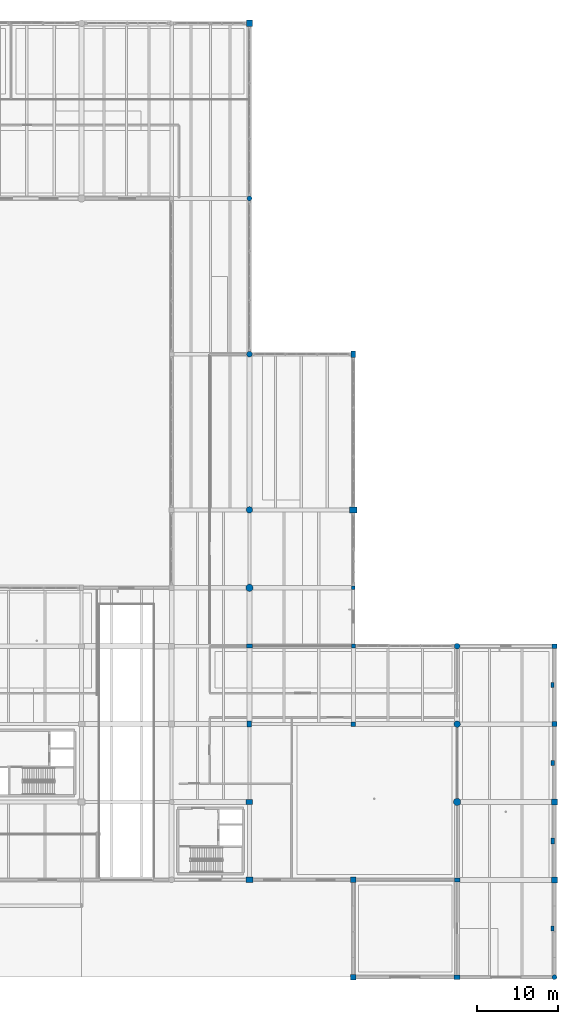
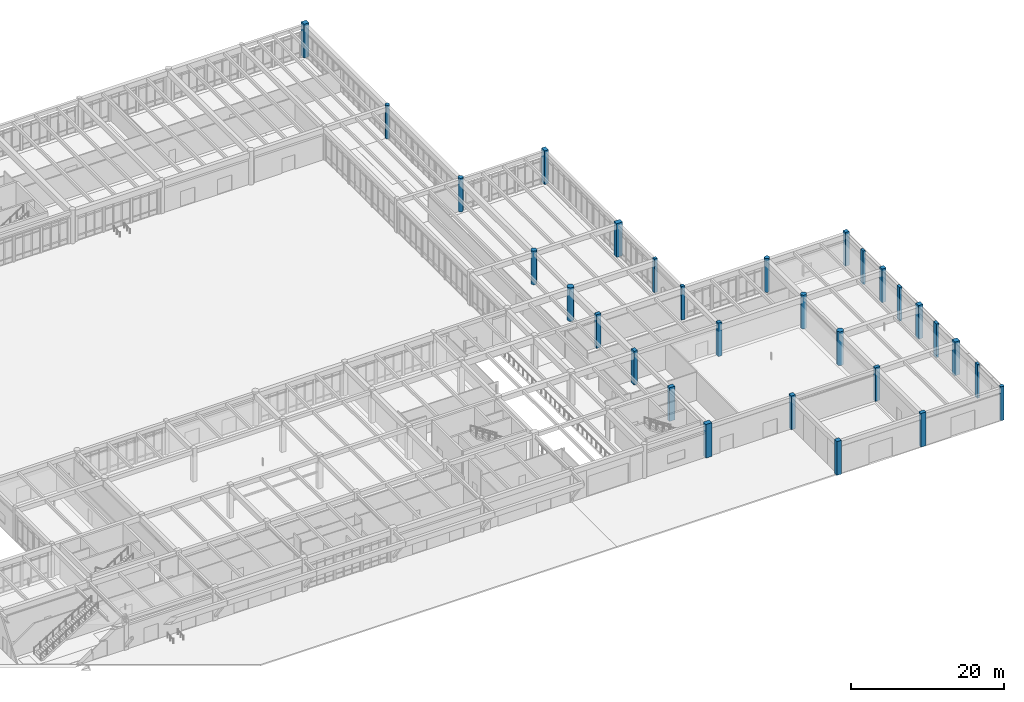
# One storey, part 3 of 138: 30 columns.
"""IFC4 building model written with IfcOpenShell, lengths in metres."""

from ifc_helpers import new_model, si_unit, direction, frame, origin, origin_2d, place, context, subcontext, project, spatial, rectangle, circle, extrude, material, material_profile, profile_set, type_object, element, save


model = new_model("IFC4")

# Units and contexts
model_context = context("Model", 3, precision=1e-05, world=origin(), true_north=direction((0.0, 1.0)))
body_context = subcontext(model_context, "Body", "Model", "MODEL_VIEW")
ifc_project = project(units=[si_unit("LENGTHUNIT", "METRE"), si_unit("AREAUNIT", "SQUARE_METRE"), si_unit("VOLUMEUNIT", "CUBIC_METRE"), si_unit("PLANEANGLEUNIT", "RADIAN"), si_unit("MASSUNIT", "GRAM", prefix="KILO")], contexts=[model_context])

# Site, building, storey
site_placement = place(None, origin())
site = spatial("IfcSite", under=ifc_project, at=site_placement, CompositionType="ELEMENT")
building_placement = place(site_placement, origin())
building = spatial("IfcBuilding", under=site, at=building_placement, Name="Fikremerkos Civic Library", CompositionType="ELEMENT")
storey_placement = place(building_placement, origin())
storey = spatial("IfcBuildingStorey", under=building, at=storey_placement, Name="L00", CompositionType="ELEMENT", Elevation=0.0)

# Columns
ifc_material_1 = material(Name="Concrete C40/50", Category="concrete")
ifc_material_profile_1 = material_profile(ifc_material_1, rectangle(XDim=0.75, YDim=0.75, at=origin_2d()), Name="RC 750x750")
ifc_profile_set_1 = profile_set([ifc_material_profile_1], Name="Concrete C40/50")
column_type_1 = type_object("IfcColumnType", Name="Structural column COL-06 RC 750x750", PredefinedType="COLUMN", material=ifc_profile_set_1)
for number, where, z_axis, x_axis, name in (
    (1, (134.39990234375, 117.60009765625, 0.0), (0.0, 0.0, 1.0), (1.0, 0.0, 0.0), "Column COL-06 L00 12/N"),
    (2, (172.0, 12.0, 0.0), (0.0, 0.0, 1.0), (1.0, 0.0, 0.0), "Column COL-06 L00 15/E"),
):
    element("IfcColumn", number, at=place(storey_placement, frame(where, z_axis=z_axis, x_axis=x_axis)), inside=storey, type_object=column_type_1, Name=name, PredefinedType="COLUMN", context=body_context, shape_type="SweptSolid", body=[
        extrude(rectangle(XDim=0.75, YDim=0.75, at=origin_2d()), origin(), (0.0, 0.0, 1.0), 5.39990234375),
    ])
ifc_material_profile_2 = material_profile(ifc_material_1, rectangle(XDim=0.699951171875, YDim=0.699951171875, at=origin_2d()), Name="RC 700x700")
ifc_profile_set_2 = profile_set([ifc_material_profile_2], Name="Concrete C40/50")
column_type_2 = type_object("IfcColumnType", Name="Structural column COL-07 RC 700x700", PredefinedType="COLUMN", material=ifc_profile_set_2)
for number, where, z_axis, x_axis, name in (
    (3, (147.199951171875, 0.0, 0.0), (0.0, 0.0, 1.0), (1.0, 0.0, 0.0), "Column COL-07 L00 13/A"),
    (4, (172.0, 21.60009765625, 0.0), (0.0, 0.0, 1.0), (1.0, 0.0, 0.0), "Column COL-07 L00 15/F"),
):
    element("IfcColumn", number, at=place(storey_placement, frame(where, z_axis=z_axis, x_axis=x_axis)), inside=storey, type_object=column_type_2, Name=name, PredefinedType="COLUMN", context=body_context, shape_type="SweptSolid", body=[
        extrude(rectangle(XDim=0.699951171875, YDim=0.699951171875, at=origin_2d()), origin(), (0.0, 0.0, 1.0), 5.39990234375),
    ])
ifc_material_profile_3 = material_profile(ifc_material_1, rectangle(XDim=0.64990234375, YDim=0.64990234375, at=origin_2d()), Name="RC 650x650")
ifc_profile_set_3 = profile_set([ifc_material_profile_3], Name="Concrete C40/50")
column_type_3 = type_object("IfcColumnType", Name="Structural column COL-08 RC 650x650", PredefinedType="COLUMN", material=ifc_profile_set_3)
for number, where, z_axis, x_axis, name in (
    (5, (147.199951171875, 12.0, 0.0), (0.0, 0.0, 1.0), (1.0, 0.0, 0.0), "Column COL-08 L00 13/E"),
    (6, (172.0, 31.199951171875, 0.0), (0.0, 0.0, 1.0), (1.0, 0.0, 0.0), "Column COL-08 L00 15/G"),
):
    element("IfcColumn", number, at=place(storey_placement, frame(where, z_axis=z_axis, x_axis=x_axis)), inside=storey, type_object=column_type_3, Name=name, PredefinedType="COLUMN", context=body_context, shape_type="SweptSolid", body=[
        extrude(rectangle(XDim=0.64990234375, YDim=0.64990234375, at=origin_2d()), origin(), (0.0, 0.0, 1.0), 5.39990234375),
    ])
ifc_material_profile_4 = material_profile(ifc_material_1, rectangle(XDim=0.60009765625, YDim=0.60009765625, at=origin_2d()), Name="RC 600x600")
ifc_profile_set_4 = profile_set([ifc_material_profile_4], Name="Concrete C40/50")
column_type_4 = type_object("IfcColumnType", Name="Structural column COL-09 RC 600x600", PredefinedType="COLUMN", material=ifc_profile_set_4)
column_1_placement = place(storey_placement, frame((172.0, 40.800048828125, 0.0), z_axis=(0.0, 0.0, 1.0), x_axis=(1.0, 0.0, 0.0)))
element("IfcColumn", 7, at=column_1_placement, inside=storey, type_object=column_type_4, Name="Column COL-09 L00 15/H", PredefinedType="COLUMN", context=body_context, shape_type="SweptSolid", body=[
    extrude(rectangle(XDim=0.60009765625, YDim=0.60009765625, at=origin_2d()), origin(), (0.0, 0.0, 1.0), 5.39990234375),
])
ifc_material_profile_5 = material_profile(ifc_material_1, rectangle(XDim=0.550048828125, YDim=0.550048828125, at=origin_2d()), Name="RC 550x550")
ifc_profile_set_5 = profile_set([ifc_material_profile_5], Name="Concrete C40/50")
column_type_5 = type_object("IfcColumnType", Name="Structural column COL-10 RC 550x550", PredefinedType="COLUMN", material=ifc_profile_set_5)
column_2_placement = place(storey_placement, frame((147.199951171875, 31.199951171875, 0.0), z_axis=(0.0, 0.0, 1.0), x_axis=(1.0, 0.0, 0.0)))
element("IfcColumn", 8, at=column_2_placement, inside=storey, type_object=column_type_5, Name="Column COL-10 L00 13/G", PredefinedType="COLUMN", context=body_context, shape_type="SweptSolid", body=[
    extrude(rectangle(XDim=0.550048828125, YDim=0.550048828125, at=origin_2d()), origin(), (0.0, 0.0, 1.0), 5.39990234375),
])
ifc_material_profile_6 = material_profile(ifc_material_1, rectangle(XDim=0.5, YDim=0.5, at=origin_2d()), Name="RC 500x500")
ifc_profile_set_6 = profile_set([ifc_material_profile_6], Name="Concrete C40/50")
column_type_6 = type_object("IfcColumnType", Name="Structural column COL-11 RC 500x500", PredefinedType="COLUMN", material=ifc_profile_set_6)
column_3_placement = place(storey_placement, frame((147.199951171875, 40.800048828125, 0.0), z_axis=(0.0, 0.0, 1.0), x_axis=(1.0, 0.0, 0.0)))
element("IfcColumn", 9, at=column_3_placement, inside=storey, type_object=column_type_6, Name="Column COL-11 L00 13/H", PredefinedType="COLUMN", context=body_context, shape_type="SweptSolid", body=[
    extrude(rectangle(XDim=0.5, YDim=0.5, at=origin_2d()), origin(), (0.0, 0.0, 1.0), 5.39990234375),
])
ifc_material_profile_7 = material_profile(ifc_material_1, rectangle(XDim=0.449951171875, YDim=0.449951171875, at=origin_2d()), Name="RC 450x450")
ifc_profile_set_7 = profile_set([ifc_material_profile_7], Name="Concrete C40/50")
column_type_7 = type_object("IfcColumnType", Name="Structural column COL-12 RC 450x450", PredefinedType="COLUMN", material=ifc_profile_set_7)
column_4_placement = place(storey_placement, frame((147.199951171875, 48.0, 0.0), z_axis=(0.0, 0.0, 1.0), x_axis=(1.0, 0.0, 0.0)))
element("IfcColumn", 10, at=column_4_placement, inside=storey, type_object=column_type_7, Name="Column COL-12 L00 13/J", PredefinedType="COLUMN", context=body_context, shape_type="SweptSolid", body=[
    extrude(rectangle(XDim=0.449951171875, YDim=0.449951171875, at=origin_2d()), origin(), (0.0, 0.0, 1.0), 5.39990234375),
])
ifc_material_profile_8 = material_profile(ifc_material_1, rectangle(XDim=0.89990234375, YDim=0.699951171875, at=origin_2d()), Name="RC 900x700")
ifc_profile_set_8 = profile_set([ifc_material_profile_8], Name="Concrete C40/50")
column_type_8 = type_object("IfcColumnType", Name="Structural column COL-13 RC 900x700", PredefinedType="COLUMN", material=ifc_profile_set_8)
for number, where, z_axis, x_axis, name in (
    (11, (134.39990234375, 12.0, 0.0), (0.0, 0.0, 1.0), (1.0, 0.0, 0.0), "Column COL-13 L00 12/E"),
    (12, (147.199951171875, 57.60009765625, 0.0), (0.0, 0.0, 1.0), (1.0, 0.0, 0.0), "Column COL-13 L00 13/K"),
):
    element("IfcColumn", number, at=place(storey_placement, frame(where, z_axis=z_axis, x_axis=x_axis)), inside=storey, type_object=column_type_8, Name=name, PredefinedType="COLUMN", context=body_context, shape_type="SweptSolid", body=[
        extrude(rectangle(XDim=0.89990234375, YDim=0.699951171875, at=origin_2d()), origin(), (0.0, 0.0, 1.0), 5.39990234375),
    ])
ifc_material_profile_9 = material_profile(ifc_material_1, rectangle(XDim=0.800048828125, YDim=0.60009765625, at=origin_2d()), Name="RC 800x600")
ifc_profile_set_9 = profile_set([ifc_material_profile_9], Name="Concrete C40/50")
column_type_9 = type_object("IfcColumnType", Name="Structural column COL-14 RC 800x600", PredefinedType="COLUMN", material=ifc_profile_set_9)
for number, where, z_axis, x_axis, name in (
    (13, (134.39990234375, 21.60009765625, 0.0), (0.0, 0.0, 1.0), (1.0, 0.0, 0.0), "Column COL-14 L00 12/F"),
    (14, (147.199951171875, 76.800048828125, 0.0), (0.0, 0.0, 1.0), (0.0, 1.0, 0.0), "Column COL-14 L00 13/L"),
):
    element("IfcColumn", number, at=place(storey_placement, frame(where, z_axis=z_axis, x_axis=x_axis)), inside=storey, type_object=column_type_9, Name=name, PredefinedType="COLUMN", context=body_context, shape_type="SweptSolid", body=[
        extrude(rectangle(XDim=0.800048828125, YDim=0.60009765625, at=origin_2d()), origin(), (0.0, 0.0, 1.0), 5.39990234375),
    ])
ifc_material_profile_10 = material_profile(ifc_material_1, rectangle(XDim=0.75, YDim=0.550048828125, at=origin_2d()), Name="RC 750x550")
ifc_profile_set_10 = profile_set([ifc_material_profile_10], Name="Concrete C40/50")
column_type_10 = type_object("IfcColumnType", Name="Structural column COL-15 RC 750x550", PredefinedType="COLUMN", material=ifc_profile_set_10)
for number, where, z_axis, x_axis, name in (
    (15, (134.39990234375, 31.199951171875, 0.0), (0.0, 0.0, 1.0), (0.0, 1.0, 0.0), "Column COL-15 L00 12/G"),
    (16, (160.0, 0.0, 0.0), (0.0, 0.0, 1.0), (1.0, 0.0, 0.0), "Column COL-15 L00 14/A"),
):
    element("IfcColumn", number, at=place(storey_placement, frame(where, z_axis=z_axis, x_axis=x_axis)), inside=storey, type_object=column_type_10, Name=name, PredefinedType="COLUMN", context=body_context, shape_type="SweptSolid", body=[
        extrude(rectangle(XDim=0.75, YDim=0.550048828125, at=origin_2d()), origin(), (0.0, 0.0, 1.0), 5.39990234375),
    ])
ifc_material_profile_11 = material_profile(ifc_material_1, rectangle(XDim=0.699951171875, YDim=0.5, at=origin_2d()), Name="RC 700x500")
ifc_profile_set_11 = profile_set([ifc_material_profile_11], Name="Concrete C40/50")
column_type_11 = type_object("IfcColumnType", Name="Structural column COL-16 RC 700x500", PredefinedType="COLUMN", material=ifc_profile_set_11)
for number, where, z_axis, x_axis, name in (
    (17, (134.39990234375, 40.800048828125, 0.0), (0.0, 0.0, 1.0), (1.0, 0.0, 0.0), "Column COL-16 L00 12/H"),
    (18, (160.0, 12.0, 0.0), (0.0, 0.0, 1.0), (1.0, 0.0, 0.0), "Column COL-16 L00 14/E"),
):
    element("IfcColumn", number, at=place(storey_placement, frame(where, z_axis=z_axis, x_axis=x_axis)), inside=storey, type_object=column_type_11, Name=name, PredefinedType="COLUMN", context=body_context, shape_type="SweptSolid", body=[
        extrude(rectangle(XDim=0.699951171875, YDim=0.5, at=origin_2d()), origin(), (0.0, 0.0, 1.0), 5.39990234375),
    ])
ifc_material_2 = material(Name="Concrete C45/55", Category="concrete")
ifc_material_profile_12 = material_profile(ifc_material_2, circle(Radius=0.449951171875, at=origin_2d()), Name="RC D900")
ifc_profile_set_12 = profile_set([ifc_material_profile_12], Name="Concrete C45/55")
column_type_12 = type_object("IfcColumnType", Name="Structural column COL-17 RC D900", PredefinedType="COLUMN", material=ifc_profile_set_12)
for number, where, z_axis, x_axis, name in (
    (19, (134.39990234375, 48.0, 0.0), (0.0, 0.0, 1.0), (1.0, 0.0, 0.0), "Column COL-17 L00 12/J"),
    (20, (160.0, 21.60009765625, 0.0), (0.0, 0.0, 1.0), (1.0, 0.0, 0.0), "Column COL-17 L00 14/F"),
):
    element("IfcColumn", number, at=place(storey_placement, frame(where, z_axis=z_axis, x_axis=x_axis)), inside=storey, type_object=column_type_12, Name=name, PredefinedType="COLUMN", context=body_context, shape_type="SweptSolid", body=[
        extrude(circle(Radius=0.449951171875, at=origin_2d()), origin(), (0.0, 0.0, 1.0), 5.39990234375),
    ])
ifc_material_profile_13 = material_profile(ifc_material_1, circle(Radius=0.39990234375, at=origin_2d()), Name="RC D800")
ifc_profile_set_13 = profile_set([ifc_material_profile_13], Name="Concrete C40/50")
column_type_13 = type_object("IfcColumnType", Name="Structural column COL-18 RC D800", PredefinedType="COLUMN", material=ifc_profile_set_13)
for number, where, z_axis, x_axis, name in (
    (21, (134.39990234375, 57.60009765625, 0.0), (0.0, 0.0, 1.0), (1.0, 0.0, 0.0), "Column COL-18 L00 12/K"),
    (22, (160.0, 31.199951171875, 0.0), (0.0, 0.0, 1.0), (1.0, 0.0, 0.0), "Column COL-18 L00 14/G"),
):
    element("IfcColumn", number, at=place(storey_placement, frame(where, z_axis=z_axis, x_axis=x_axis)), inside=storey, type_object=column_type_13, Name=name, PredefinedType="COLUMN", context=body_context, shape_type="SweptSolid", body=[
        extrude(circle(Radius=0.39990234375, at=origin_2d()), origin(), (0.0, 0.0, 1.0), 5.39990234375),
    ])
ifc_material_profile_14 = material_profile(ifc_material_1, circle(Radius=0.35009765625, at=origin_2d()), Name="RC D700")
ifc_profile_set_14 = profile_set([ifc_material_profile_14], Name="Concrete C40/50")
column_type_14 = type_object("IfcColumnType", Name="Structural column COL-19 RC D700", PredefinedType="COLUMN", material=ifc_profile_set_14)
for number, where, z_axis, x_axis, name in (
    (23, (134.39990234375, 76.800048828125, 0.0), (0.0, 0.0, 1.0), (1.0, 0.0, 0.0), "Column COL-19 L00 12/L"),
    (24, (160.0, 40.800048828125, 0.0), (0.0, 0.0, 1.0), (1.0, 0.0, 0.0), "Column COL-19 L00 14/H"),
):
    element("IfcColumn", number, at=place(storey_placement, frame(where, z_axis=z_axis, x_axis=x_axis)), inside=storey, type_object=column_type_14, Name=name, PredefinedType="COLUMN", context=body_context, shape_type="SweptSolid", body=[
        extrude(circle(Radius=0.35009765625, at=origin_2d()), origin(), (0.0, 0.0, 1.0), 5.39990234375),
    ])
ifc_material_profile_15 = material_profile(ifc_material_1, circle(Radius=0.300048828125, at=origin_2d()), Name="RC D600")
ifc_profile_set_15 = profile_set([ifc_material_profile_15], Name="Concrete C40/50")
column_type_15 = type_object("IfcColumnType", Name="Structural column COL-20 RC D600", PredefinedType="COLUMN", material=ifc_profile_set_15)
for number, where, z_axis, x_axis, name in (
    (25, (134.39990234375, 96.0, 0.0), (0.0, 0.0, 1.0), (1.0, 0.0, 0.0), "Column COL-20 L00 12/M"),
    (26, (172.0, 0.0, 0.0), (0.0, 0.0, 1.0), (1.0, 0.0, 0.0), "Column COL-20 L00 15/A"),
):
    element("IfcColumn", number, at=place(storey_placement, frame(where, z_axis=z_axis, x_axis=x_axis)), inside=storey, type_object=column_type_15, Name=name, PredefinedType="COLUMN", context=body_context, shape_type="SweptSolid", body=[
        extrude(circle(Radius=0.300048828125, at=origin_2d()), origin(), (0.0, 0.0, 1.0), 5.39990234375),
    ])
ifc_material_profile_16 = material_profile(ifc_material_1, rectangle(XDim=0.39990234375, YDim=0.75, at=origin_2d()), Name="RC 400x750")
ifc_profile_set_16 = profile_set([ifc_material_profile_16], Name="Concrete C40/50")
column_type_16 = type_object("IfcColumnType", Name="Wall pilaster PIL-02 RC 400x750", PredefinedType="PILASTER", material=ifc_profile_set_16)
column_5_placement = place(storey_placement, frame((171.780029296875, 16.800048828125, 0.0), z_axis=(0.0, 0.0, 1.0), x_axis=(1.0, 0.0, 0.0)))
element("IfcColumn", 27, at=column_5_placement, inside=storey, type_object=column_type_16, Name="Wall pilaster PIL-02 L00 E2", PredefinedType="PILASTER", context=body_context, shape_type="SweptSolid", body=[
    extrude(rectangle(XDim=0.39990234375, YDim=0.75, at=origin_2d()), origin(), (0.0, 0.0, 1.0), 5.39990234375),
])
ifc_material_profile_17 = material_profile(ifc_material_1, rectangle(XDim=0.39990234375, YDim=0.64990234375, at=origin_2d()), Name="RC 400x650")
ifc_profile_set_17 = profile_set([ifc_material_profile_17], Name="Concrete C40/50")
column_type_17 = type_object("IfcColumnType", Name="Wall pilaster PIL-03 RC 400x650", PredefinedType="PILASTER", material=ifc_profile_set_17)
column_6_placement = place(storey_placement, frame((171.780029296875, 26.39990234375, 0.0), z_axis=(0.0, 0.0, 1.0), x_axis=(1.0, 0.0, 0.0)))
element("IfcColumn", 28, at=column_6_placement, inside=storey, type_object=column_type_17, Name="Wall pilaster PIL-03 L00 E3", PredefinedType="PILASTER", context=body_context, shape_type="SweptSolid", body=[
    extrude(rectangle(XDim=0.39990234375, YDim=0.64990234375, at=origin_2d()), origin(), (0.0, 0.0, 1.0), 5.39990234375),
])
ifc_material_profile_18 = material_profile(ifc_material_1, rectangle(XDim=0.35009765625, YDim=0.60009765625, at=origin_2d()), Name="RC 350x600")
ifc_profile_set_18 = profile_set([ifc_material_profile_18], Name="Concrete C40/50")
column_type_18 = type_object("IfcColumnType", Name="Wall pilaster PIL-04 RC 350x600", PredefinedType="PILASTER", material=ifc_profile_set_18)
for number, where, z_axis, x_axis, name in (
    (29, (171.780029296875, 6.0, 0.0), (0.0, 0.0, 1.0), (1.0, 0.0, 0.0), "Wall pilaster PIL-04 L00 E1"),
    (30, (171.780029296875, 36.0, 0.0), (0.0, 0.0, 1.0), (1.0, 0.0, 0.0), "Wall pilaster PIL-04 L00 E4"),
):
    element("IfcColumn", number, at=place(storey_placement, frame(where, z_axis=z_axis, x_axis=x_axis)), inside=storey, type_object=column_type_18, Name=name, PredefinedType="PILASTER", context=body_context, shape_type="SweptSolid", body=[
        extrude(rectangle(XDim=0.35009765625, YDim=0.60009765625, at=origin_2d()), origin(), (0.0, 0.0, 1.0), 5.39990234375),
    ])

save(model, "model.ifc")
